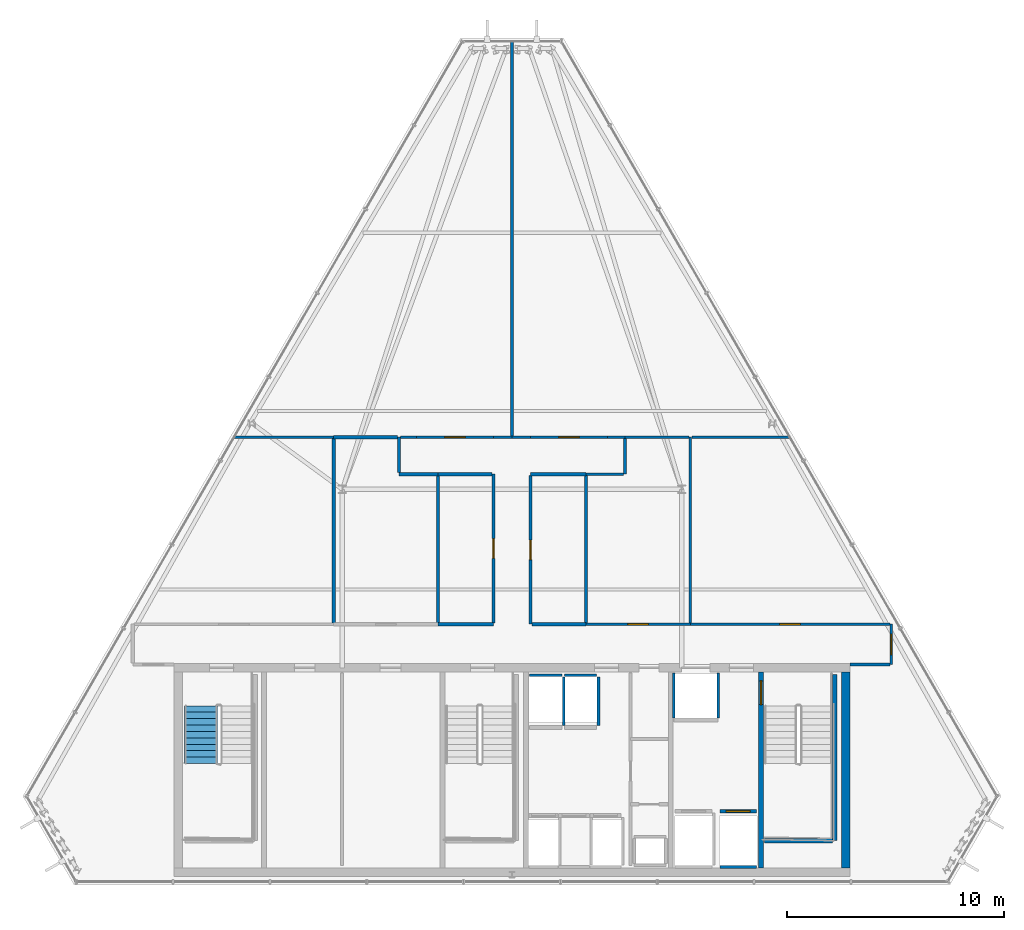
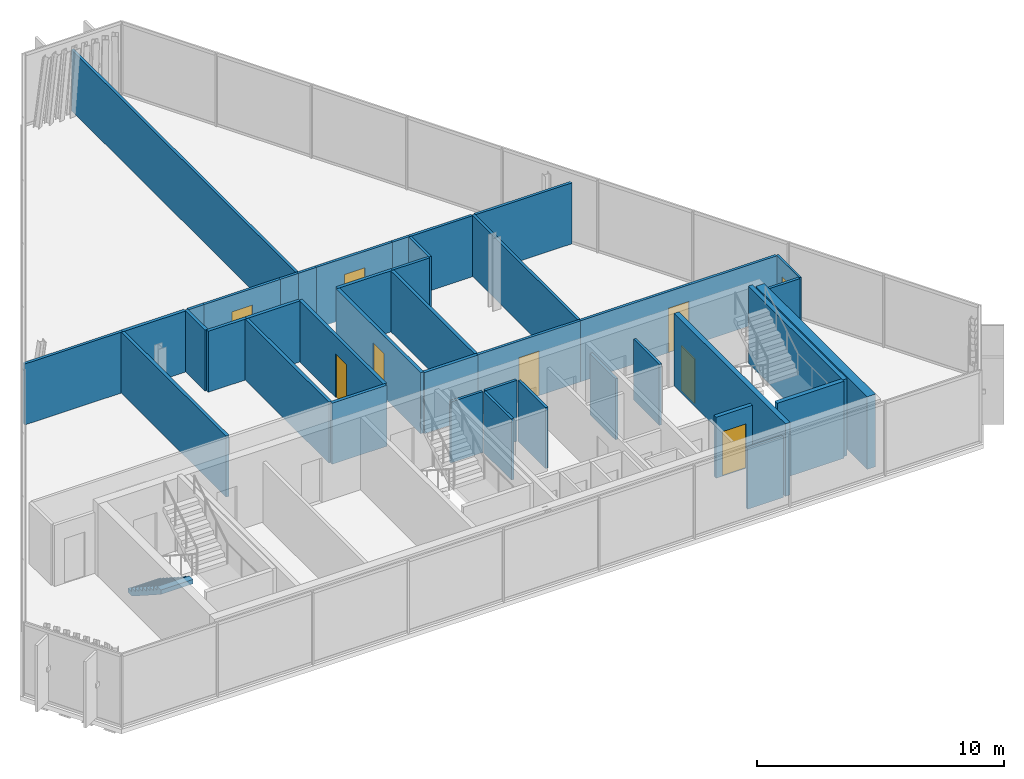
# One storey, part 28 of 32: 41 walls, 9 doors, 1 stair flight, 9 openings, 1 element without a shape of its own.
"""IFC4 building model written with IfcOpenShell, lengths in metres."""

from ifc_helpers import new_model, si_unit, direction, frame, frame_2d, origin, place, context, subcontext, project, spatial, polyline, rectangle, outline, extrude, material, layer, layer_set, type_object, element, fill, aggregate, save


model = new_model("IFC4")

# Units and contexts
model_context = context("Model", 3, precision=1e-05, world=origin(), true_north=direction((0.0, 1.0)))
body_context = subcontext(model_context, "Body", "Model", "MODEL_VIEW")
ifc_project = project(units=[si_unit("LENGTHUNIT", "METRE"), si_unit("AREAUNIT", "SQUARE_METRE"), si_unit("VOLUMEUNIT", "CUBIC_METRE"), si_unit("PLANEANGLEUNIT", "RADIAN"), si_unit("MASSUNIT", "GRAM", prefix="KILO")], contexts=[model_context])

# Site, building, storey
site_placement = place(None, origin())
site = spatial("IfcSite", under=ifc_project, at=site_placement, CompositionType="ELEMENT")
building_placement = place(site_placement, origin())
building = spatial("IfcBuilding", under=site, at=building_placement, Name="Ndaravel Arena Tower", CompositionType="ELEMENT")
storey_placement = place(building_placement, frame((0.0, 0.0, 290.89990234375)))
storey = spatial("IfcBuildingStorey", under=building, at=storey_placement, Name="L71", CompositionType="ELEMENT", Elevation=290.89990234375)

# Wall, opening, door
ifc_material_1 = material(Name="Concrete C50/60", Category="concrete")
ifc_layer_1 = layer(ifc_material_1, 0.219970703125)
ifc_layer_set_1 = layer_set([ifc_layer_1], Name="Concrete C50/60")
wall_type_1 = type_object("IfcWallType", Name="WALL-CORE-220", PredefinedType="SOLIDWALL", material=ifc_layer_set_1)
wall_1_placement = place(storey_placement, frame((53.449951171875, 5.800048828125, 0.0), z_axis=(0.0, 0.0, 1.0), x_axis=(0.0, 1.0, 0.0)))
wall_1 = element("IfcWall", 1, at=wall_1_placement, inside=storey, type_object=wall_type_1, Name="L71 Core Web Shear Wall 5", PredefinedType="SOLIDWALL", context=body_context, shape_type="SweptSolid", body=[
    extrude(rectangle(XDim=9.0, YDim=0.219970703125, at=frame_2d((4.5, 0.0))), origin(), (0.0, 0.0, 1.0), 3.580078125),
])
opening_1_placement = place(wall_1_placement, frame((7.5, 0.0, 0.0)))
opening_1 = element("IfcOpeningElement", 2, at=opening_1_placement, cuts=wall_1, Name="Opening FD-01", PredefinedType="OPENING", context=body_context, shape_type="SweptSolid", body=[
    extrude(rectangle(XDim=1.10009765625, YDim=2.199951171875, at=frame_2d((0.550048828125, 1.10009765625))), frame((0.0, 0.10986328125, 0.0), z_axis=(0.0, -1.0, 0.0), x_axis=(1.0, 0.0, 0.0)), (0.0, 0.0, 1.0), 0.219970703125),
])
ifc_material_2 = material(Name="Steel S355", Category="steel")
door_type_1 = type_object("IfcDoorType", Name="DT-01-STAIR-1100", OperationType="SINGLE_SWING_LEFT", PredefinedType="DOOR", material=ifc_material_2)
door_1_placement = place(opening_1_placement, origin())
door_1 = element("IfcDoor", 3, at=door_1_placement, inside=storey, type_object=door_type_1, Name="L71 Firefighting Lobby to ST-3 Door", OperationType="SINGLE_SWING_LEFT", OverallHeight=2.199951171875, OverallWidth=1.10009765625, PredefinedType="DOOR", context=body_context, shape_type="SweptSolid", body=[
    extrude(rectangle(XDim=1.10009765625, YDim=2.199951171875, at=frame_2d((0.550048828125, 1.10009765625))), frame((0.0, 0.02490234375, 0.0), z_axis=(0.0, -1.0, 0.0), x_axis=(1.0, 0.0, 0.0)), (0.0, 0.0, 1.0), 0.050048828125),
])
fill(opening_1, door_1)

# Wall
ifc_material_3 = material(Name="Concrete C50/60", Category="concrete")
ifc_layer_2 = layer(ifc_material_3, 0.39990234375)
ifc_layer_set_2 = layer_set([ifc_layer_2], Name="Concrete C50/60")
wall_type_2 = type_object("IfcWallType", Name="WALL-CORE-400", PredefinedType="SOLIDWALL", material=ifc_layer_set_2)
wall_2_placement = place(storey_placement, frame((57.35009765625, 5.800048828125, 0.0), z_axis=(0.0, 0.0, 1.0), x_axis=(0.0, 1.0, 0.0)))
element("IfcWall", 4, at=wall_2_placement, inside=storey, type_object=wall_type_2, Name="L71 Core East Shear Wall", PredefinedType="SOLIDWALL", context=body_context, shape_type="SweptSolid", body=[
    extrude(rectangle(XDim=9.0, YDim=0.39990234375, at=frame_2d((4.5, 0.0))), origin(), (0.0, 0.0, 1.0), 3.580078125),
])

# Wall, opening, door
ifc_material_4 = material(Name="Timber", Category="wood")
ifc_layer_3 = layer(ifc_material_4, 0.10009765625)
ifc_layer_set_3 = layer_set([ifc_layer_3], Name="Timber")
wall_type_3 = type_object("IfcWallType", Name="WALL-MOVABLE-100", PredefinedType="MOVABLE", material=ifc_layer_set_3)
wall_3_placement = place(storey_placement, frame((59.43408203125, 17.0, 0.0), z_axis=(0.0, 0.0, 1.0), x_axis=(0.0, -1.0, 0.0)))
wall_3 = element("IfcWall", 5, at=wall_3_placement, inside=storey, type_object=wall_type_3, Name="L71 Interior Partition 001", PredefinedType="MOVABLE", context=body_context, shape_type="SweptSolid", body=[
    extrude(rectangle(XDim=1.85009765625, YDim=0.10009765625, at=frame_2d((0.925048828125, 0.0))), origin(), (0.0, 0.0, 1.0), 3.010498046875),
])
opening_2_placement = place(wall_3_placement, frame((0.449951171875, 0.0, 0.0)))
opening_2 = element("IfcOpeningElement", 6, at=opening_2_placement, cuts=wall_3, Name="Opening ID-01", PredefinedType="OPENING", context=body_context, shape_type="SweptSolid", body=[
    extrude(rectangle(XDim=0.949951171875, YDim=2.199951171875, at=frame_2d((0.47509765625, 1.10009765625))), frame((0.0, 0.050048828125, 0.0), z_axis=(0.0, -1.0, 0.0), x_axis=(1.0, 0.0, 0.0)), (0.0, 0.0, 1.0), 0.10009765625),
])
ifc_material_5 = material(Name="Timber", Category="wood")
door_type_2 = type_object("IfcDoorType", Name="DT-03-OFFICE-950", OperationType="SINGLE_SWING_LEFT", PredefinedType="DOOR", material=ifc_material_5)
door_2_placement = place(opening_2_placement, origin())
door_2 = element("IfcDoor", 7, at=door_2_placement, inside=storey, type_object=door_type_2, Name="L71 Floor Security Control Room Door", OperationType="SINGLE_SWING_LEFT", OverallHeight=2.199951171875, OverallWidth=0.949951171875, PredefinedType="DOOR", context=body_context, shape_type="SweptSolid", body=[
    extrude(rectangle(XDim=0.949951171875, YDim=2.199951171875, at=frame_2d((0.47509765625, 1.10009765625))), frame((0.0, 0.02490234375, 0.0), z_axis=(0.0, -1.0, 0.0), x_axis=(1.0, 0.0, 0.0)), (0.0, 0.0, 1.0), 0.050048828125),
])
fill(opening_2, door_2)

# Walls
ifc_material_6 = material(Name="Gypsum", Category="gypsum")
ifc_layer_4 = layer(ifc_material_6, 0.125)
ifc_layer_set_4 = layer_set([ifc_layer_4], Name="Gypsum")
wall_type_4 = type_object("IfcWallType", Name="WALL-PART-125", PredefinedType="PARTITIONING", material=ifc_layer_set_4)
wall_4_placement = place(storey_placement, frame((59.368896484375, 15.14990234375, 0.0), z_axis=(0.0, 0.0, 1.0), x_axis=(-1.0, 0.0, 0.0)))
element("IfcWall", 8, at=wall_4_placement, inside=storey, type_object=wall_type_4, Name="L71 Interior Partition 002", PredefinedType="PARTITIONING", context=body_context, shape_type="SweptSolid", body=[
    extrude(rectangle(XDim=1.81884765625, YDim=0.125, at=frame_2d((0.909423828125, 0.0))), origin(), (0.0, 0.0, 1.0), 3.010498046875),
])
wall_5_placement = place(storey_placement, frame((36.864990234375, 25.60009765625, 0.0), z_axis=(0.0, 0.0, 1.0), x_axis=(1.0, 0.0, 0.0)))
element("IfcWall", 9, at=wall_5_placement, inside=storey, type_object=wall_type_4, Name="L71 Interior Partition 012", PredefinedType="PARTITIONING", context=body_context, shape_type="SweptSolid", body=[
    extrude(rectangle(XDim=0.735107421875, YDim=0.125, at=frame_2d((0.36767578125, 0.0))), origin(), (0.0, 0.0, 1.0), 3.010498046875),
])

# Wall, opening, door
wall_6_placement = place(storey_placement, frame((37.60009765625, 25.60009765625, 0.0), z_axis=(0.0, 0.0, 1.0), x_axis=(1.0, 0.0, 0.0)))
wall_6 = element("IfcWall", 10, at=wall_6_placement, inside=storey, type_object=wall_type_4, Name="L71 Interior Partition 013", PredefinedType="PARTITIONING", context=body_context, shape_type="SweptSolid", body=[
    extrude(rectangle(XDim=3.5498046875, YDim=0.125, at=frame_2d((1.77490234375, 0.0))), origin(), (0.0, 0.0, 1.0), 3.010498046875),
])
opening_3_placement = place(wall_6_placement, frame((1.300048828125, 0.0, 0.0)))
opening_3 = element("IfcOpeningElement", 11, at=opening_3_placement, cuts=wall_6, Name="Opening ID-01", PredefinedType="OPENING", context=body_context, shape_type="SweptSolid", body=[
    extrude(rectangle(XDim=0.949951171875, YDim=2.199951171875, at=frame_2d((0.47509765625, 1.10009765625))), frame((0.0, 0.0625, 0.0), z_axis=(0.0, -1.0, 0.0), x_axis=(1.0, 0.0, 0.0)), (0.0, 0.0, 1.0), 0.125),
])
door_3_placement = place(opening_3_placement, origin())
door_3 = element("IfcDoor", 12, at=door_3_placement, inside=storey, type_object=door_type_2, Name="L71 Tenant Mail & Post Room 2 Door", OperationType="SINGLE_SWING_RIGHT", OverallHeight=2.199951171875, OverallWidth=0.949951171875, PredefinedType="DOOR", context=body_context, shape_type="SweptSolid", body=[
    extrude(rectangle(XDim=0.949951171875, YDim=2.199951171875, at=frame_2d((0.47509765625, 1.10009765625))), frame((0.0, 0.02490234375, 0.0), z_axis=(0.0, -1.0, 0.0), x_axis=(1.0, 0.0, 0.0)), (0.0, 0.0, 1.0), 0.050048828125),
])
fill(opening_3, door_3)

# Walls
for number, where, z_axis, x_axis, name in (
    (13, (41.14990234375, 25.60009765625, 0.0), (0.0, 0.0, 1.0), (1.0, 0.0, 0.0), "L71 Interior Partition 014"),
    (14, (42.0, 25.60009765625, 0.0), (0.0, 0.0, 1.0), (1.0, 0.0, 0.0), "L71 Interior Partition 015"),
):
    element("IfcWall", number, at=place(storey_placement, frame(where, z_axis=z_axis, x_axis=x_axis)), inside=storey, type_object=wall_type_4, Name=name, PredefinedType="PARTITIONING", context=body_context, shape_type="SweptSolid", body=[
        extrude(rectangle(XDim=0.85009765625, YDim=0.125, at=frame_2d((0.425048828125, 0.0))), origin(), (0.0, 0.0, 1.0), 3.010498046875),
    ])

# Wall, opening, door
wall_7_placement = place(storey_placement, frame((42.85009765625, 25.60009765625, 0.0), z_axis=(0.0, 0.0, 1.0), x_axis=(1.0, 0.0, 0.0)))
wall_7 = element("IfcWall", 15, at=wall_7_placement, inside=storey, type_object=wall_type_4, Name="L71 Interior Partition 016", PredefinedType="PARTITIONING", context=body_context, shape_type="SweptSolid", body=[
    extrude(rectangle(XDim=3.5498046875, YDim=0.125, at=frame_2d((1.77490234375, 0.0))), origin(), (0.0, 0.0, 1.0), 3.010498046875),
])
opening_4_placement = place(wall_7_placement, frame((1.300048828125, 0.0, 0.0)))
opening_4 = element("IfcOpeningElement", 16, at=opening_4_placement, cuts=wall_7, Name="Opening ID-01", PredefinedType="OPENING", context=body_context, shape_type="SweptSolid", body=[
    extrude(rectangle(XDim=0.949951171875, YDim=2.199951171875, at=frame_2d((0.47509765625, 1.10009765625))), frame((0.0, 0.0625, 0.0), z_axis=(0.0, -1.0, 0.0), x_axis=(1.0, 0.0, 0.0)), (0.0, 0.0, 1.0), 0.125),
])
door_4_placement = place(opening_4_placement, origin())
door_4 = element("IfcDoor", 17, at=door_4_placement, inside=storey, type_object=door_type_2, Name="L71 Facilities Operations Room 3 Door", OperationType="SINGLE_SWING_LEFT", OverallHeight=2.199951171875, OverallWidth=0.949951171875, PredefinedType="DOOR", context=body_context, shape_type="SweptSolid", body=[
    extrude(rectangle(XDim=0.949951171875, YDim=2.199951171875, at=frame_2d((0.47509765625, 1.10009765625))), frame((0.0, 0.02490234375, 0.0), z_axis=(0.0, -1.0, 0.0), x_axis=(1.0, 0.0, 0.0)), (0.0, 0.0, 1.0), 0.050048828125),
])
fill(opening_4, door_4)

# Walls
wall_8_placement = place(storey_placement, frame((46.39990234375, 25.60009765625, 0.0), z_axis=(0.0, 0.0, 1.0), x_axis=(1.0, 0.0, 0.0)))
element("IfcWall", 18, at=wall_8_placement, inside=storey, type_object=wall_type_4, Name="L71 Interior Partition 017", PredefinedType="PARTITIONING", context=body_context, shape_type="SweptSolid", body=[
    extrude(rectangle(XDim=0.800048828125, YDim=0.125, at=frame_2d((0.39990234375, 0.0))), origin(), (0.0, 0.0, 1.0), 3.010498046875),
])
wall_9_placement = place(storey_placement, frame((47.199951171875, 25.534912109375, 0.0), z_axis=(0.0, 0.0, 1.0), x_axis=(0.0, -1.0, 0.0)))
element("IfcWall", 19, at=wall_9_placement, inside=storey, type_object=wall_type_4, Name="L71 Interior Partition 018", PredefinedType="PARTITIONING", context=body_context, shape_type="SweptSolid", body=[
    extrude(rectangle(XDim=1.635009765625, YDim=0.125, at=frame_2d((0.8173828125, 0.0))), origin(), (0.0, 0.0, 1.0), 3.010498046875),
])
wall_10_placement = place(storey_placement, frame((47.135009765625, 23.89990234375, 0.0), z_axis=(0.0, 0.0, 1.0), x_axis=(-1.0, 0.0, 0.0)))
element("IfcWall", 20, at=wall_10_placement, inside=storey, type_object=wall_type_4, Name="L71 Interior Partition 019", PredefinedType="PARTITIONING", context=body_context, shape_type="SweptSolid", body=[
    extrude(rectangle(XDim=1.735107421875, YDim=0.125, at=frame_2d((0.86767578125, 0.0))), origin(), (0.0, 0.0, 1.0), 3.010498046875),
])

# Wall, opening, door
wall_11_placement = place(storey_placement, frame((45.39990234375, 17.0, 0.0), z_axis=(0.0, 0.0, 1.0), x_axis=(1.0, 0.0, 0.0)))
wall_11 = element("IfcWall", 21, at=wall_11_placement, inside=storey, type_object=wall_type_4, Name="L71 Interior Partition 023", PredefinedType="PARTITIONING", context=body_context, shape_type="SweptSolid", body=[
    extrude(rectangle(XDim=4.800048828125, YDim=0.125, at=frame_2d((2.39990234375, 0.0))), origin(), (0.0, 0.0, 1.0), 3.010498046875),
])
opening_5_placement = place(wall_11_placement, frame((1.925048828125, 0.0, 0.0)))
opening_5 = element("IfcOpeningElement", 22, at=opening_5_placement, cuts=wall_11, Name="Opening ID-01", PredefinedType="OPENING", context=body_context, shape_type="SweptSolid", body=[
    extrude(rectangle(XDim=0.949951171875, YDim=2.199951171875, at=frame_2d((0.47509765625, 1.10009765625))), frame((0.0, 0.0625, 0.0), z_axis=(0.0, -1.0, 0.0), x_axis=(1.0, 0.0, 0.0)), (0.0, 0.0, 1.0), 0.125),
])
door_5_placement = place(opening_5_placement, origin())
door_5 = element("IfcDoor", 23, at=door_5_placement, inside=storey, type_object=door_type_2, Name="L71 Barista Galley 3 Door", OperationType="SINGLE_SWING_LEFT", OverallHeight=2.199951171875, OverallWidth=0.949951171875, PredefinedType="DOOR", context=body_context, shape_type="SweptSolid", body=[
    extrude(rectangle(XDim=0.949951171875, YDim=2.199951171875, at=frame_2d((0.47509765625, 1.10009765625))), frame((0.0, 0.02490234375, 0.0), z_axis=(0.0, -1.0, 0.0), x_axis=(1.0, 0.0, 0.0)), (0.0, 0.0, 1.0), 0.050048828125),
])
fill(opening_5, door_5)

wall_12_placement = place(storey_placement, frame((50.199951171875, 17.0, 0.0), z_axis=(0.0, 0.0, 1.0), x_axis=(1.0, 0.0, 0.0)))
wall_12 = element("IfcWall", 24, at=wall_12_placement, inside=storey, type_object=wall_type_4, Name="L71 Interior Partition 024", PredefinedType="PARTITIONING", context=body_context, shape_type="SweptSolid", body=[
    extrude(rectangle(XDim=9.1689453125, YDim=0.125, at=frame_2d((4.58447265625, 0.0))), origin(), (0.0, 0.0, 1.0), 3.010498046875),
])
opening_6_placement = place(wall_12_placement, frame((4.109619140625, 0.0, 0.0)))
opening_6 = element("IfcOpeningElement", 25, at=opening_6_placement, cuts=wall_12, Name="Opening ID-01", PredefinedType="OPENING", context=body_context, shape_type="SweptSolid", body=[
    extrude(rectangle(XDim=0.949951171875, YDim=2.199951171875, at=frame_2d((0.47509765625, 1.10009765625))), frame((0.0, 0.0625, 0.0), z_axis=(0.0, -1.0, 0.0), x_axis=(1.0, 0.0, 0.0)), (0.0, 0.0, 1.0), 0.125),
])
door_6_placement = place(opening_6_placement, origin())
door_6 = element("IfcDoor", 26, at=door_6_placement, inside=storey, type_object=door_type_2, Name="L71 Open Plan Workplace Door", OperationType="SINGLE_SWING_LEFT", OverallHeight=2.199951171875, OverallWidth=0.949951171875, PredefinedType="DOOR", context=body_context, shape_type="SweptSolid", body=[
    extrude(rectangle(XDim=0.949951171875, YDim=2.199951171875, at=frame_2d((0.47509765625, 1.10009765625))), frame((0.0, 0.02490234375, 0.0), z_axis=(0.0, -1.0, 0.0), x_axis=(1.0, 0.0, 0.0)), (0.0, 0.0, 1.0), 0.050048828125),
])
fill(opening_6, door_6)

# Walls
wall_13_placement = place(storey_placement, frame((29.22119140625, 25.60009765625, 0.0), z_axis=(0.0, 0.0, 1.0), x_axis=(1.0, 0.0, 0.0)))
element("IfcWall", 27, at=wall_13_placement, inside=storey, type_object=wall_type_4, Name="L71 Interior Partition 027", PredefinedType="PARTITIONING", context=body_context, shape_type="SweptSolid", body=[
    extrude(rectangle(XDim=4.578857421875, YDim=0.125, at=frame_2d((2.28955078125, 0.0))), origin(), (0.0, 0.0, 1.0), 3.010498046875),
])
wall_14_placement = place(storey_placement, frame((50.199951171875, 17.06494140625, 0.0), z_axis=(0.0, 0.0, 1.0), x_axis=(0.0, 1.0, 0.0)))
element("IfcWall", 28, at=wall_14_placement, inside=storey, type_object=wall_type_4, Name="L71 Interior Partition 029", PredefinedType="PARTITIONING", context=body_context, shape_type="SweptSolid", body=[
    extrude(rectangle(XDim=8.53515625, YDim=0.125, at=frame_2d((4.267578125, 0.0))), origin(), (0.0, 0.0, 1.0), 3.010498046875),
])
wall_15_placement = place(storey_placement, frame((50.264892578125, 25.60009765625, 0.0), z_axis=(0.0, 0.0, 1.0), x_axis=(1.0, 0.0, 0.0)))
element("IfcWall", 29, at=wall_15_placement, inside=storey, type_object=wall_type_4, Name="L71 Interior Partition 030", PredefinedType="PARTITIONING", context=body_context, shape_type="SweptSolid", body=[
    extrude(rectangle(XDim=4.513916015625, YDim=0.125, at=frame_2d((2.2568359375, 0.0))), origin(), (0.0, 0.0, 1.0), 3.010498046875),
])
wall_16_placement = place(storey_placement, frame((47.199951171875, 25.60009765625, 0.0), z_axis=(0.0, 0.0, 1.0), x_axis=(1.0, 0.0, 0.0)))
element("IfcWall", 30, at=wall_16_placement, inside=storey, type_object=wall_type_4, Name="L71 Interior Partition 032", PredefinedType="PARTITIONING", context=body_context, shape_type="SweptSolid", body=[
    extrude(rectangle(XDim=2.93505859375, YDim=0.125, at=frame_2d((1.467529296875, 0.0))), origin(), (0.0, 0.0, 1.0), 3.010498046875),
])
wall_17_placement = place(storey_placement, frame((42.0, 43.797607421875, 0.0), z_axis=(0.0, 0.0, 1.0), x_axis=(0.0, -1.0, 0.0)))
element("IfcWall", 31, at=wall_17_placement, inside=storey, type_object=wall_type_4, Name="L71 Interior Partition 033", PredefinedType="PARTITIONING", context=body_context, shape_type="SweptSolid", body=[
    extrude(rectangle(XDim=18.132568359375, YDim=0.125, at=frame_2d((9.06640625, 0.0))), origin(), (0.0, 0.0, 1.0), 3.010498046875),
])
ifc_material_7 = material(Name="Concrete C40/50", Category="concrete")
ifc_layer_5 = layer(ifc_material_7, 0.1201171875)
ifc_layer_set_5 = layer_set([ifc_layer_5], Name="Concrete C40/50")
wall_type_5 = type_object("IfcWallType", Name="WALL-SHAFT-120", PredefinedType="SOLIDWALL", material=ifc_layer_set_5)
wall_18_placement = place(storey_placement, frame((42.804931640625, 14.659912109375, 0.0), z_axis=(0.0, 0.0, 1.0), x_axis=(1.0, 0.0, 0.0)))
element("IfcWall", 32, at=wall_18_placement, inside=storey, type_object=wall_type_5, Name="L71 PL-OBS1 Shaft Rear Wall", PredefinedType="SOLIDWALL", context=body_context, shape_type="SweptSolid", body=[
    extrude(rectangle(XDim=1.489990234375, YDim=0.1201171875, at=frame_2d((0.7451171875, 0.0))), origin(), (0.0, 0.0, 1.0), 3.010498046875),
])
wall_19_placement = place(storey_placement, frame((44.375, 12.340087890625, 0.0), z_axis=(0.0, 0.0, 1.0), x_axis=(0.0, 1.0, 0.0)))
element("IfcWall", 33, at=wall_19_placement, inside=storey, type_object=wall_type_5, Name="L71 PL-OBS1 Shaft Side R Wall", PredefinedType="SOLIDWALL", context=body_context, shape_type="SweptSolid", body=[
    extrude(rectangle(XDim=2.22998046875, YDim=0.1201171875, at=frame_2d((1.114990234375, 0.0))), origin(), (0.0, 0.0, 1.0), 3.010498046875),
])
wall_20_placement = place(storey_placement, frame((44.405029296875, 14.659912109375, 0.0), z_axis=(0.0, 0.0, 1.0), x_axis=(1.0, 0.0, 0.0)))
element("IfcWall", 34, at=wall_20_placement, inside=storey, type_object=wall_type_5, Name="L71 PL-OBS2 Shaft Rear Wall", PredefinedType="SOLIDWALL", context=body_context, shape_type="SweptSolid", body=[
    extrude(rectangle(XDim=1.489990234375, YDim=0.1201171875, at=frame_2d((0.7451171875, 0.0))), origin(), (0.0, 0.0, 1.0), 3.010498046875),
])
wall_21_placement = place(storey_placement, frame((45.97509765625, 12.340087890625, 0.0), z_axis=(0.0, 0.0, 1.0), x_axis=(0.0, 1.0, 0.0)))
element("IfcWall", 35, at=wall_21_placement, inside=storey, type_object=wall_type_5, Name="L71 PL-OBS2 Shaft Side R Wall", PredefinedType="SOLIDWALL", context=body_context, shape_type="SweptSolid", body=[
    extrude(rectangle(XDim=2.22998046875, YDim=0.1201171875, at=frame_2d((1.114990234375, 0.0))), origin(), (0.0, 0.0, 1.0), 3.010498046875),
])
wall_22_placement = place(storey_placement, frame((51.554931640625, 5.840087890625, 0.0), z_axis=(0.0, 0.0, 1.0), x_axis=(1.0, 0.0, 0.0)))
element("IfcWall", 36, at=wall_22_placement, inside=storey, type_object=wall_type_5, Name="L71 FFL-2 Shaft Rear Wall", PredefinedType="SOLIDWALL", context=body_context, shape_type="SweptSolid", body=[
    extrude(rectangle(XDim=1.690185546875, YDim=0.1201171875, at=frame_2d((0.84521484375, 0.0))), origin(), (0.0, 0.0, 1.0), 3.010498046875),
])
for number, where, z_axis, x_axis, name in (
    (37, (49.43994140625, 12.68994140625, 0.0), (0.0, 0.0, 1.0), (0.0, 1.0, 0.0), "L71 SVL-1 Shaft W Wall"),
    (38, (51.47998046875, 12.68994140625, 0.0), (0.0, 0.0, 1.0), (0.0, 1.0, 0.0), "L71 SVL-1 Shaft E Wall"),
):
    element("IfcWall", number, at=place(storey_placement, frame(where, z_axis=z_axis, x_axis=x_axis)), inside=storey, type_object=wall_type_5, Name=name, PredefinedType="SOLIDWALL", context=body_context, shape_type="SweptSolid", body=[
        extrude(rectangle(XDim=2.070068359375, YDim=0.1201171875, at=frame_2d((1.03515625, 0.0))), origin(), (0.0, 0.0, 1.0), 3.010498046875),
    ])
ifc_material_8 = material(Name="Concrete C40/50", Category="concrete")
ifc_layer_6 = layer(ifc_material_8, 0.199951171875)
ifc_layer_set_6 = layer_set([ifc_layer_6], Name="Concrete C40/50")
wall_type_6 = type_object("IfcWallType", Name="WALL-SHAFT-200", PredefinedType="SOLIDWALL", material=ifc_layer_set_6)
wall_23_placement = place(storey_placement, frame((56.840087890625, 14.699951171875, 0.0), z_axis=(0.0, 0.0, 1.0), x_axis=(0.0, -1.0, 0.0)))
element("IfcWall", 39, at=wall_23_placement, inside=storey, type_object=wall_type_6, Name="L71 ST-3 Structural Shaft Wall Right", PredefinedType="SOLIDWALL", context=body_context, shape_type="SweptSolid", body=[
    extrude(rectangle(XDim=7.64990234375, YDim=0.199951171875, at=frame_2d((3.824951171875, 0.0))), origin(), (0.0, 0.0, 1.0), 3.800048828125),
])
wall_24_placement = place(storey_placement, frame((53.6201171875, 7.050048828125, 0.0), z_axis=(0.0, 0.0, 1.0), x_axis=(1.0, 0.0, 0.0)))
element("IfcWall", 40, at=wall_24_placement, inside=storey, type_object=wall_type_6, Name="L71 ST-3 Structural Shaft Wall Far", PredefinedType="SOLIDWALL", context=body_context, shape_type="SweptSolid", body=[
    extrude(rectangle(XDim=3.114990234375, YDim=0.199951171875, at=frame_2d((1.5576171875, 0.0))), origin(), (0.0, 0.0, 1.0), 3.800048828125),
])

# Wall, opening, door
wall_25_placement = place(storey_placement, frame((51.554931640625, 8.39990234375, 0.0), z_axis=(0.0, 0.0, 1.0), x_axis=(1.0, 0.0, 0.0)))
wall_25 = element("IfcWall", 41, at=wall_25_placement, inside=storey, type_object=wall_type_6, Name="L71 FFL-2 Shaft Landing Wall", PredefinedType="SOLIDWALL", context=body_context, shape_type="SweptSolid", body=[
    extrude(rectangle(XDim=1.690185546875, YDim=0.179931640625, at=frame_2d((0.84521484375, 0.0))), origin(), (0.0, 0.0, 1.0), 3.010498046875),
])
opening_7_placement = place(wall_25_placement, frame((0.294921875, 0.0, 0.0)))
opening_7 = element("IfcOpeningElement", 42, at=opening_7_placement, cuts=wall_25, Name="Opening LD-01", PredefinedType="OPENING", context=body_context, shape_type="SweptSolid", body=[
    extrude(rectangle(XDim=1.10009765625, YDim=2.199951171875, at=frame_2d((0.550048828125, 1.10009765625))), frame((0.0, 0.08984375, 0.0), z_axis=(0.0, -1.0, 0.0), x_axis=(1.0, 0.0, 0.0)), (0.0, 0.0, 1.0), 0.179931640625),
])
ifc_material_9 = material(Name="Steel S355", Category="steel")
door_type_3 = type_object("IfcDoorType", Name="DT-06-LIFT-1100", OperationType="SLIDING_TO_LEFT", PredefinedType="DOOR", material=ifc_material_9)
door_7_placement = place(opening_7_placement, origin())
door_7 = element("IfcDoor", 43, at=door_7_placement, inside=storey, type_object=door_type_3, Name="L71 Lift FFL-2 Sliding Landing Door", OperationType="SLIDING_TO_LEFT", OverallHeight=2.199951171875, OverallWidth=1.10009765625, PredefinedType="DOOR", context=body_context, shape_type="SweptSolid", body=[
    extrude(rectangle(XDim=1.10009765625, YDim=2.199951171875, at=frame_2d((0.550048828125, 1.10009765625))), frame((0.0, 0.02490234375, 0.0), z_axis=(0.0, -1.0, 0.0), x_axis=(1.0, 0.0, 0.0)), (0.0, 0.0, 1.0), 0.050048828125),
])
fill(opening_7, door_7)

# Wall
ifc_material_10 = material(Name="Masonry", Category="masonry")
ifc_layer_7 = layer(ifc_material_10, 0.14990234375)
ifc_layer_set_7 = layer_set([ifc_layer_7], Name="Masonry")
wall_type_7 = type_object("IfcWallType", Name="WALL-WET-150", PredefinedType="PARTITIONING", material=ifc_layer_set_7)
wall_26_placement = place(storey_placement, frame((38.60009765625, 17.0, 0.0), z_axis=(0.0, 0.0, 1.0), x_axis=(1.0, 0.0, 0.0)))
element("IfcWall", 44, at=wall_26_placement, inside=storey, type_object=wall_type_7, Name="L71 Interior Partition 007", PredefinedType="PARTITIONING", context=body_context, shape_type="SweptSolid", body=[
    extrude(rectangle(XDim=2.5498046875, YDim=0.14990234375, at=frame_2d((1.27490234375, 0.0))), origin(), (0.0, 0.0, 1.0), 3.010498046875),
])

# Wall, opening, door
wall_27_placement = place(storey_placement, frame((41.14990234375, 17.06494140625, 0.0), z_axis=(0.0, 0.0, 1.0), x_axis=(0.0, 1.0, 0.0)))
wall_27 = element("IfcWall", 45, at=wall_27_placement, inside=storey, type_object=wall_type_7, Name="L71 Interior Partition 008", PredefinedType="PARTITIONING", context=body_context, shape_type="SweptSolid", body=[
    extrude(rectangle(XDim=6.8349609375, YDim=0.14990234375, at=frame_2d((3.41748046875, 0.0))), origin(), (0.0, 0.0, 1.0), 3.010498046875),
])
opening_8_placement = place(wall_27_placement, frame((2.967529296875, 0.0, 0.0)))
opening_8 = element("IfcOpeningElement", 46, at=opening_8_placement, cuts=wall_27, Name="Opening WD-01", PredefinedType="OPENING", context=body_context, shape_type="SweptSolid", body=[
    extrude(rectangle(XDim=0.89990234375, YDim=2.14990234375, at=frame_2d((0.449951171875, 1.074951171875))), frame((0.0, 0.074951171875, 0.0), z_axis=(0.0, -1.0, 0.0), x_axis=(1.0, 0.0, 0.0)), (0.0, 0.0, 1.0), 0.14990234375),
])
ifc_material_11 = material(Name="Timber", Category="wood")
door_type_4 = type_object("IfcDoorType", Name="DT-05-WC-900", OperationType="SINGLE_SWING_LEFT", PredefinedType="DOOR", material=ifc_material_11)
door_8_placement = place(opening_8_placement, origin())
door_8 = element("IfcDoor", 47, at=door_8_placement, inside=storey, type_object=door_type_4, Name="L71 Male Staff & Visitor Restroom Door", OperationType="SINGLE_SWING_RIGHT", OverallHeight=2.14990234375, OverallWidth=0.89990234375, PredefinedType="DOOR", context=body_context, shape_type="SweptSolid", body=[
    extrude(rectangle(XDim=0.89990234375, YDim=2.14990234375, at=frame_2d((0.449951171875, 1.074951171875))), frame((0.0, 0.02490234375, 0.0), z_axis=(0.0, -1.0, 0.0), x_axis=(1.0, 0.0, 0.0)), (0.0, 0.0, 1.0), 0.050048828125),
])
fill(opening_8, door_8)

# Walls
wall_28_placement = place(storey_placement, frame((41.0849609375, 23.89990234375, 0.0), z_axis=(0.0, 0.0, 1.0), x_axis=(-1.0, 0.0, 0.0)))
element("IfcWall", 48, at=wall_28_placement, inside=storey, type_object=wall_type_7, Name="L71 Interior Partition 009", PredefinedType="PARTITIONING", context=body_context, shape_type="SweptSolid", body=[
    extrude(rectangle(XDim=2.48486328125, YDim=0.14990234375, at=frame_2d((1.242431640625, 0.0))), origin(), (0.0, 0.0, 1.0), 3.010498046875),
])
wall_29_placement = place(storey_placement, frame((38.60009765625, 23.89990234375, 0.0), z_axis=(0.0, 0.0, 1.0), x_axis=(-1.0, 0.0, 0.0)))
element("IfcWall", 49, at=wall_29_placement, inside=storey, type_object=wall_type_7, Name="L71 Interior Partition 010", PredefinedType="PARTITIONING", context=body_context, shape_type="SweptSolid", body=[
    extrude(rectangle(XDim=1.800048828125, YDim=0.14990234375, at=frame_2d((0.89990234375, 0.0))), origin(), (0.0, 0.0, 1.0), 3.010498046875),
])
wall_30_placement = place(storey_placement, frame((36.800048828125, 23.965087890625, 0.0), z_axis=(0.0, 0.0, 1.0), x_axis=(0.0, 1.0, 0.0)))
element("IfcWall", 50, at=wall_30_placement, inside=storey, type_object=wall_type_7, Name="L71 Interior Partition 011", PredefinedType="PARTITIONING", context=body_context, shape_type="SweptSolid", body=[
    extrude(rectangle(XDim=1.635009765625, YDim=0.14990234375, at=frame_2d((0.8173828125, 0.0))), origin(), (0.0, 0.0, 1.0), 3.010498046875),
])
wall_31_placement = place(storey_placement, frame((45.39990234375, 23.89990234375, 0.0), z_axis=(0.0, 0.0, 1.0), x_axis=(-1.0, 0.0, 0.0)))
element("IfcWall", 51, at=wall_31_placement, inside=storey, type_object=wall_type_7, Name="L71 Interior Partition 020", PredefinedType="PARTITIONING", context=body_context, shape_type="SweptSolid", body=[
    extrude(rectangle(XDim=2.5498046875, YDim=0.14990234375, at=frame_2d((1.27490234375, 0.0))), origin(), (0.0, 0.0, 1.0), 3.010498046875),
])

# Wall, opening, door
wall_32_placement = place(storey_placement, frame((42.85009765625, 23.8349609375, 0.0), z_axis=(0.0, 0.0, 1.0), x_axis=(0.0, -1.0, 0.0)))
wall_32 = element("IfcWall", 52, at=wall_32_placement, inside=storey, type_object=wall_type_7, Name="L71 Interior Partition 021", PredefinedType="PARTITIONING", context=body_context, shape_type="SweptSolid", body=[
    extrude(rectangle(XDim=6.8349609375, YDim=0.14990234375, at=frame_2d((3.41748046875, 0.0))), origin(), (0.0, 0.0, 1.0), 3.010498046875),
])
opening_9_placement = place(wall_32_placement, frame((2.967529296875, 0.0, 0.0)))
opening_9 = element("IfcOpeningElement", 53, at=opening_9_placement, cuts=wall_32, Name="Opening WD-01", PredefinedType="OPENING", context=body_context, shape_type="SweptSolid", body=[
    extrude(rectangle(XDim=0.89990234375, YDim=2.14990234375, at=frame_2d((0.449951171875, 1.074951171875))), frame((0.0, 0.074951171875, 0.0), z_axis=(0.0, -1.0, 0.0), x_axis=(1.0, 0.0, 0.0)), (0.0, 0.0, 1.0), 0.14990234375),
])
door_9_placement = place(opening_9_placement, origin())
door_9 = element("IfcDoor", 54, at=door_9_placement, inside=storey, type_object=door_type_4, Name="L71 Female & Accessible Restroom Door", OperationType="SINGLE_SWING_LEFT", OverallHeight=2.14990234375, OverallWidth=0.89990234375, PredefinedType="DOOR", context=body_context, shape_type="SweptSolid", body=[
    extrude(rectangle(XDim=0.89990234375, YDim=2.14990234375, at=frame_2d((0.449951171875, 1.074951171875))), frame((0.0, 0.02490234375, 0.0), z_axis=(0.0, -1.0, 0.0), x_axis=(1.0, 0.0, 0.0)), (0.0, 0.0, 1.0), 0.050048828125),
])
fill(opening_9, door_9)

# Walls
wall_33_placement = place(storey_placement, frame((42.9150390625, 17.0, 0.0), z_axis=(0.0, 0.0, 1.0), x_axis=(1.0, 0.0, 0.0)))
element("IfcWall", 55, at=wall_33_placement, inside=storey, type_object=wall_type_7, Name="L71 Interior Partition 022", PredefinedType="PARTITIONING", context=body_context, shape_type="SweptSolid", body=[
    extrude(rectangle(XDim=2.48486328125, YDim=0.14990234375, at=frame_2d((1.242431640625, 0.0))), origin(), (0.0, 0.0, 1.0), 3.010498046875),
])
for number, where, z_axis, x_axis, name in (
    (56, (38.60009765625, 17.06494140625, 0.0), (0.0, 0.0, 1.0), (0.0, 1.0, 0.0), "L71 Interior Partition 025"),
    (57, (45.39990234375, 23.8349609375, 0.0), (0.0, 0.0, 1.0), (0.0, -1.0, 0.0), "L71 Interior Partition 026"),
):
    element("IfcWall", number, at=place(storey_placement, frame(where, z_axis=z_axis, x_axis=x_axis)), inside=storey, type_object=wall_type_7, Name=name, PredefinedType="PARTITIONING", context=body_context, shape_type="SweptSolid", body=[
        extrude(rectangle(XDim=6.77001953125, YDim=0.14990234375, at=frame_2d((3.385009765625, 0.0))), origin(), (0.0, 0.0, 1.0), 3.010498046875),
    ])
wall_34_placement = place(storey_placement, frame((33.800048828125, 25.534912109375, 0.0), z_axis=(0.0, 0.0, 1.0), x_axis=(0.0, -1.0, 0.0)))
element("IfcWall", 58, at=wall_34_placement, inside=storey, type_object=wall_type_7, Name="L71 Interior Partition 028", PredefinedType="PARTITIONING", context=body_context, shape_type="SweptSolid", body=[
    extrude(rectangle(XDim=8.469970703125, YDim=0.14990234375, at=frame_2d((4.23486328125, 0.0))), origin(), (0.0, 0.0, 1.0), 3.010498046875),
])
wall_35_placement = place(storey_placement, frame((33.800048828125, 25.60009765625, 0.0), z_axis=(0.0, 0.0, 1.0), x_axis=(1.0, 0.0, 0.0)))
element("IfcWall", 59, at=wall_35_placement, inside=storey, type_object=wall_type_7, Name="L71 Interior Partition 031", PredefinedType="PARTITIONING", context=body_context, shape_type="SweptSolid", body=[
    extrude(rectangle(XDim=2.93505859375, YDim=0.14990234375, at=frame_2d((1.467529296875, 0.0))), origin(), (0.0, 0.0, 1.0), 3.010498046875),
])

# Stair, stair flight
ifc_material_12 = material(Name="Concrete C40/50", Category="concrete")
stair_type = type_object("IfcStairType", Name="STAIR-CORE-HT", PredefinedType="HALF_TURN_STAIR", material=ifc_material_12)
stair_placement = place(storey_placement, origin())
stair = element("IfcStair", 60, at=stair_placement, inside=storey, type_object=stair_type, Name="L71 ST-1", PredefinedType="HALF_TURN_STAIR")
ifc_material_13 = material(Name="Concrete C40/50", Category="concrete")
stair_flight_type = type_object("IfcStairFlightType", Name="SFLIGHT-CORE-1680", PredefinedType="STRAIGHT", material=ifc_material_13)
stair_flight_placement = place(storey_placement, frame((27.699951171875, 13.25, 0.0), z_axis=(0.0, 0.0, 1.0), x_axis=(0.0, -1.0, 0.0)))
stair_flight = element("IfcStairFlight", 61, at=stair_flight_placement, type_object=stair_flight_type, Name="ST-1 flight 1", NumberOfRisers=10, NumberOfTreads=9, PredefinedType="STRAIGHT", RiserHeight=0.19, TreadLength=0.295, context=body_context, shape_type="SweptSolid", body=[
    extrude(outline(polyline([(0.0, 0.0), (0.0, 0.18994140625), (0.294921875, 0.18994140625), (0.294921875, 0.3798828125), (0.590087890625, 0.3798828125), (0.590087890625, 0.570068359375), (0.885009765625, 0.570068359375), (0.885009765625, 0.760009765625), (1.179931640625, 0.760009765625), (1.179931640625, 0.949951171875), (1.47509765625, 0.949951171875), (1.47509765625, 1.139892578125), (1.77001953125, 1.139892578125), (1.77001953125, 1.330078125), (2.06494140625, 1.330078125), (2.06494140625, 1.52001953125), (2.360107421875, 1.52001953125), (2.360107421875, 1.7099609375), (2.655029296875, 1.7099609375), (2.655029296875, 1.89990234375), (2.655029296875, 1.49609375), (0.332275390625, 0.0), (0.0, 0.0)])), frame((0.0, 0.75, 0.0), z_axis=(0.0, -1.0, 0.0), x_axis=(1.0, 0.0, 0.0)), (0.0, 0.0, 1.0), 1.5),
])
aggregate(stair, [stair_flight])

save(model, "model.ifc")
